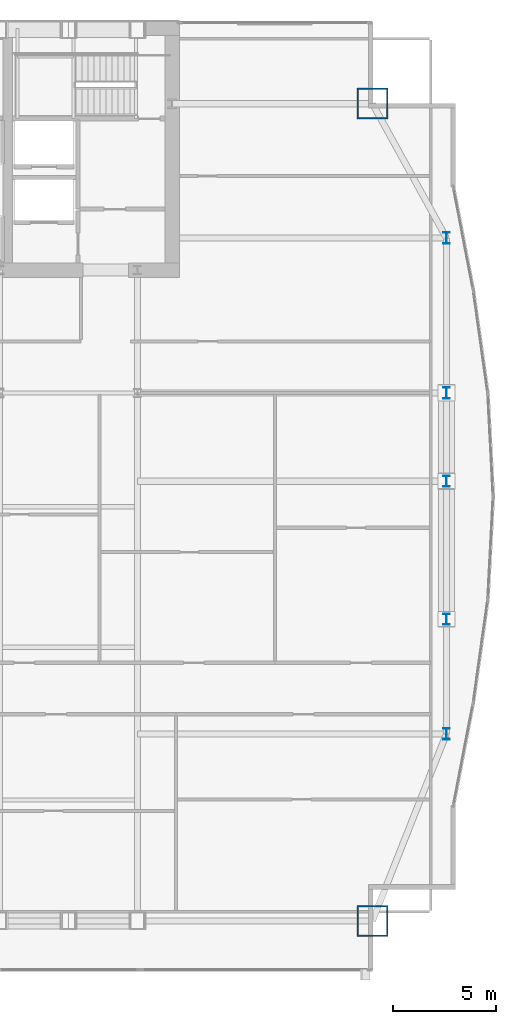
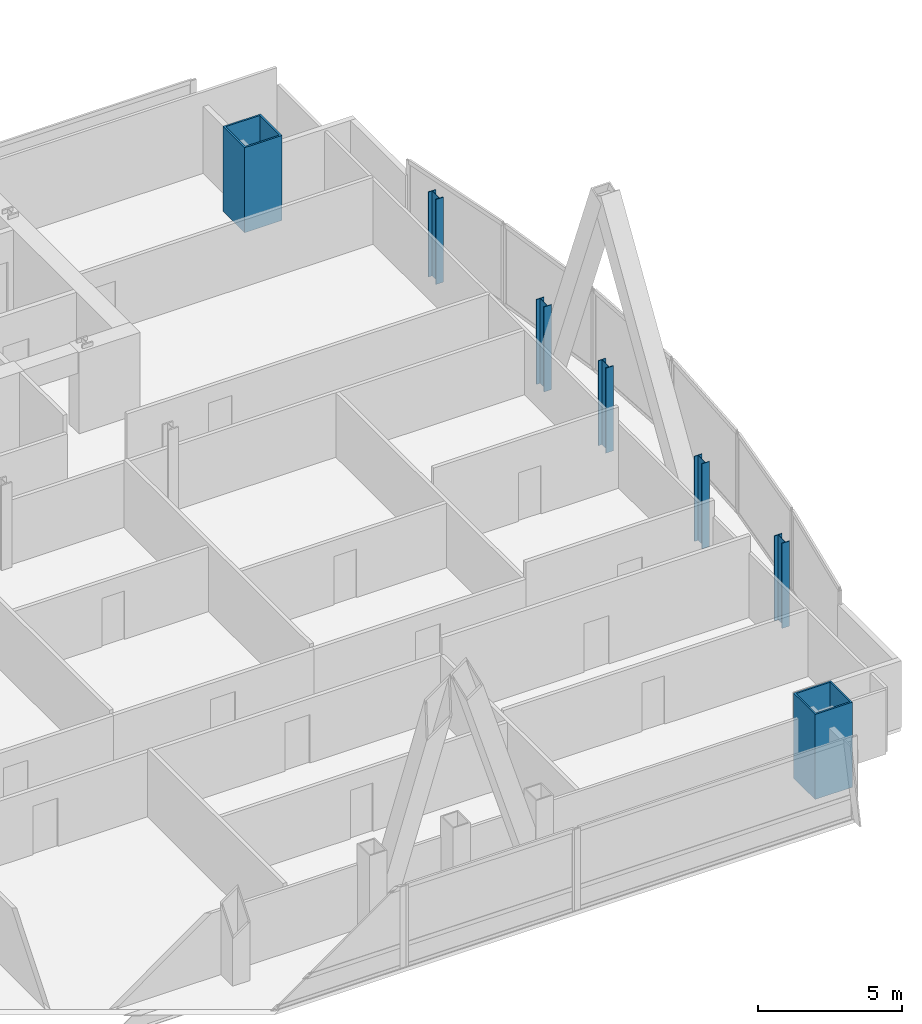
# One storey, part 4 of 33: 7 columns.
"""IFC4 building model written with IfcOpenShell, lengths in metres."""

from ifc_helpers import new_model, si_unit, direction, frame, origin, origin_2d, place, context, subcontext, project, spatial, hollow_rectangle, i_section, extrude, material, material_profile, profile_set, type_object, element, save


model = new_model("IFC4")

# Units and contexts
model_context = context("Model", 3, precision=1e-05, world=origin(), true_north=direction((0.0, 1.0)))
body_context = subcontext(model_context, "Body", "Model", "MODEL_VIEW")
ifc_project = project(units=[si_unit("LENGTHUNIT", "METRE"), si_unit("AREAUNIT", "SQUARE_METRE"), si_unit("VOLUMEUNIT", "CUBIC_METRE"), si_unit("PLANEANGLEUNIT", "RADIAN"), si_unit("MASSUNIT", "GRAM", prefix="KILO")], contexts=[model_context])

# Site, building, storey
site_placement = place(None, origin())
site = spatial("IfcSite", under=ifc_project, at=site_placement, CompositionType="ELEMENT")
building_placement = place(site_placement, origin())
building = spatial("IfcBuilding", under=site, at=building_placement, Name="Khoronbel Lancet Exchange", CompositionType="ELEMENT")
storey_placement = place(building_placement, frame((0.0, 0.0, 118.199951171875)))
storey = spatial("IfcBuildingStorey", under=building, at=storey_placement, Name="L28", CompositionType="ELEMENT", Elevation=118.199951171875)

# Columns
ifc_material_1 = material(Name="Steel S355", Category="steel")
ifc_material_profile_1 = material_profile(ifc_material_1, i_section(OverallWidth=0.300048828125, OverallDepth=0.550048828125, WebThickness=0.014892578125, FlangeThickness=0.029052734375, at=origin_2d()), Name="HEB 550")
ifc_profile_set_1 = profile_set([ifc_material_profile_1], Name="Steel S355")
column_type_1 = type_object("IfcColumnType", Name="COL-LC1", PredefinedType="COLUMN", material=ifc_profile_set_1)
for number, where, z_axis, x_axis, name in (
    (1, (69.6298828125, 19.199951171875, 0.0), (0.0, 0.0, 1.0), (1.0, 0.0, 0.0), "Structural column EC-1 L28"),
    (2, (69.6298828125, 24.75, 0.0), (0.0, 0.0, 1.0), (1.0, 0.0, 0.0), "Structural column EC-2 L28"),
    (3, (69.6298828125, 31.425048828125, 0.0), (0.0, 0.0, 1.0), (1.0, 0.0, 0.0), "Structural column EC-M L28"),
    (4, (69.6298828125, 35.699951171875, 0.0), (0.0, 0.0, 1.0), (1.0, 0.0, 0.0), "Structural column EC-3 L28"),
    (5, (69.6298828125, 43.199951171875, 0.0), (0.0, 0.0, 1.0), (1.0, 0.0, 0.0), "Structural column EC-4 L28"),
):
    element("IfcColumn", number, at=place(storey_placement, frame(where, z_axis=z_axis, x_axis=x_axis)), inside=storey, type_object=column_type_1, Name=name, PredefinedType="COLUMN", context=body_context, shape_type="SweptSolid", body=[
        extrude(i_section(OverallWidth=0.300048828125, OverallDepth=0.550048828125, WebThickness=0.014892578125, FlangeThickness=0.029052734375, at=origin_2d()), origin(), (0.0, 0.0, 1.0), 3.60009765625),
    ])
ifc_material_2 = material(Name="Steel S460", Category="steel")
ifc_material_profile_2 = material_profile(ifc_material_2, hollow_rectangle(XDim=1.5, YDim=1.5, WallThickness=0.070068359375, at=origin_2d()), Name="BOX 1500x1500x70")
ifc_profile_set_2 = profile_set([ifc_material_profile_2], Name="Steel S460")
column_type_2 = type_object("IfcColumnType", Name="COL-MC3", PredefinedType="COLUMN", material=ifc_profile_set_2)
for number, where, z_axis, x_axis, name in (
    (6, (66.050048828125, 10.14990234375, 0.0), (0.0, 0.0, 1.0), (1.0, 0.0, 0.0), "Structural column MC-SE L28"),
    (7, (66.050048828125, 49.699951171875, 0.0), (0.0, 0.0, 1.0), (1.0, 0.0, 0.0), "Structural column MC-NE L28"),
):
    element("IfcColumn", number, at=place(storey_placement, frame(where, z_axis=z_axis, x_axis=x_axis)), inside=storey, type_object=column_type_2, Name=name, PredefinedType="COLUMN", context=body_context, shape_type="SweptSolid", body=[
        extrude(hollow_rectangle(XDim=1.5, YDim=1.5, WallThickness=0.070068359375, at=origin_2d()), origin(), (0.0, 0.0, 1.0), 3.60009765625),
    ])

save(model, "model.ifc")
